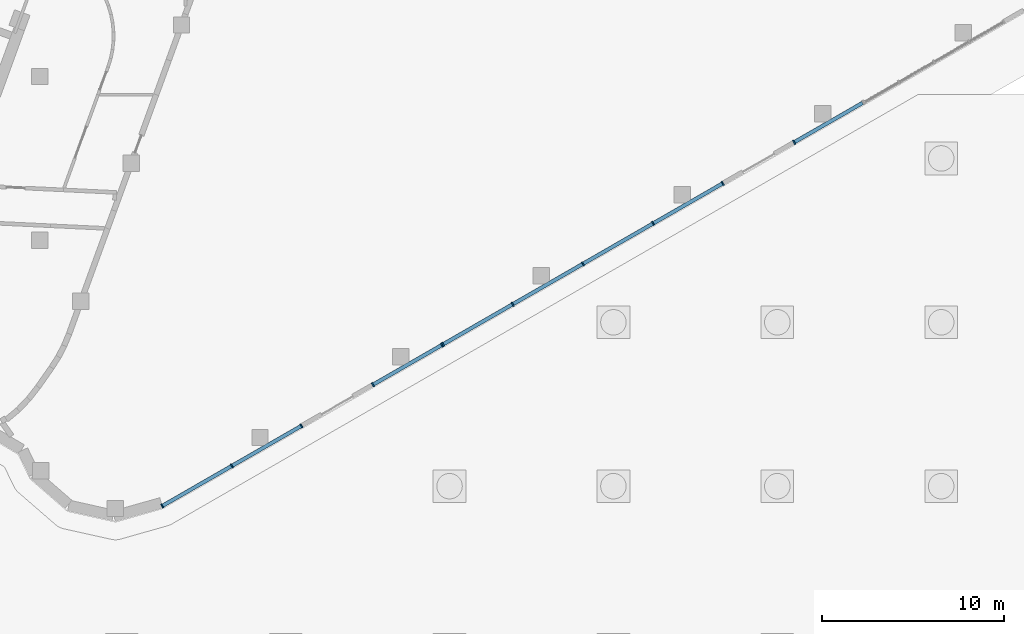
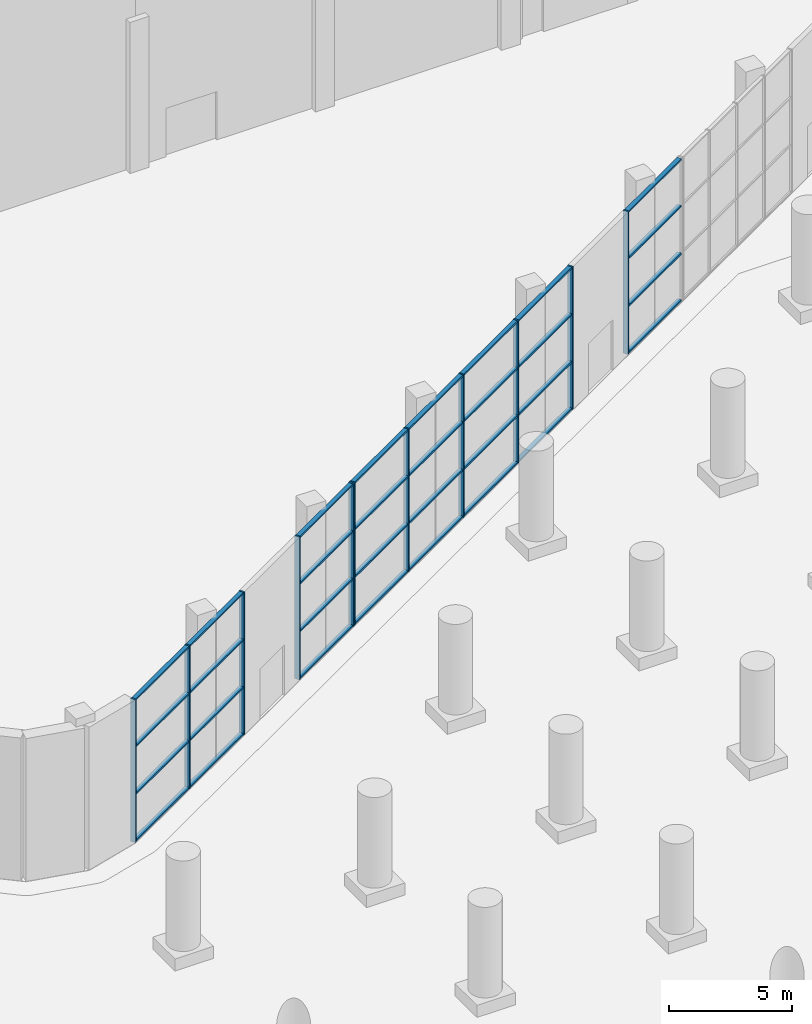
# One storey, part 3 of 30: 43 members, 4 elements without a shape of their own.
"""IFC4 building model written with IfcOpenShell, lengths in metres."""

from ifc_helpers import new_model, si_unit, direction, frame, origin, origin_2d, place, context, subcontext, project, spatial, rectangle, extrude, material, material_profile, profile_set, type_object, element, aggregate, save


model = new_model("IFC4")

# Units and contexts
model_context = context("Model", 3, precision=1e-05, world=origin(), true_north=direction((0.0, 1.0)))
body_context = subcontext(model_context, "Body", "Model", "MODEL_VIEW")
ifc_project = project(units=[si_unit("LENGTHUNIT", "METRE"), si_unit("AREAUNIT", "SQUARE_METRE"), si_unit("VOLUMEUNIT", "CUBIC_METRE"), si_unit("PLANEANGLEUNIT", "RADIAN"), si_unit("MASSUNIT", "GRAM", prefix="KILO")], contexts=[model_context])

# Site, building, storey
site_placement = place(None, origin())
site = spatial("IfcSite", under=ifc_project, at=site_placement, CompositionType="ELEMENT")
building_placement = place(site_placement, origin())
building = spatial("IfcBuilding", under=site, at=building_placement, Name="Skarvind Civic Tower", CompositionType="ELEMENT")
storey_placement = place(building_placement, origin())
storey = spatial("IfcBuildingStorey", under=building, at=storey_placement, Name="L00", CompositionType="ELEMENT", Elevation=0.0)

# Curtain wall, member
ifc_material_1 = material(Name="Aluminium alloy 6063 and laminated glass", Category="aluminium")
curtain_wall_type = type_object("IfcCurtainWallType", Name="CW1 PUBLIC HALL GLAZING", PredefinedType="NOTDEFINED", material=ifc_material_1)
curtain_wall_1_placement = place(storey_placement, origin())
curtain_wall_1 = element("IfcCurtainWall", 1, at=curtain_wall_1_placement, inside=storey, type_object=curtain_wall_type, Name="PUBLIC SERVICE HALL GLAZING", PredefinedType="NOTDEFINED")
ifc_material_2 = material(Name="Aluminium alloy 6063", Category="aluminium")
ifc_material_profile_1 = material_profile(ifc_material_2, rectangle(XDim=0.239990234375, YDim=0.080078125, at=origin_2d()), Name="AL 80x240")
ifc_profile_set_1 = profile_set([ifc_material_profile_1], Name="Aluminium alloy 6063")
member_type_1 = type_object("IfcMemberType", Name="CW1 MULLION 80x240", PredefinedType="MULLION", material=ifc_profile_set_1)
member_1_placement = place(storey_placement, frame((87.427490234375, 87.38720703125, 0.0), z_axis=(0.0, 0.0, 1.0), x_axis=(0.498821195522, -0.866704918008, 0.0)))
member_1 = element("IfcMember", 2, at=member_1_placement, type_object=member_type_1, Name="CW1 mullion 2", PredefinedType="MULLION", context=body_context, shape_type="SweptSolid", body=[
    extrude(rectangle(XDim=0.239990234375, YDim=0.080078125, at=origin_2d()), origin(), (0.0, 0.0, 1.0), 7.10009765625),
])

# Curtain wall, members
curtain_wall_2_placement = place(storey_placement, origin())
curtain_wall_2 = element("IfcCurtainWall", 3, at=curtain_wall_2_placement, inside=storey, type_object=curtain_wall_type, Name="PUBLIC SERVICE HALL GLAZING", PredefinedType="NOTDEFINED")
member_2_placement = place(storey_placement, frame((83.50244140625, 85.1279296875, 0.0), z_axis=(0.0, 0.0, 1.0), x_axis=(0.498825416846, -0.866702488463, 0.0)))
member_2 = element("IfcMember", 4, at=member_2_placement, type_object=member_type_1, Name="CW1 mullion 1", PredefinedType="MULLION", context=body_context, shape_type="SweptSolid", body=[
    extrude(rectangle(XDim=0.239990234375, YDim=0.080078125, at=origin_2d()), origin(), (0.0, 0.0, 1.0), 7.10009765625),
])
member_3_placement = place(storey_placement, frame((79.681396484375, 82.928955078125, 0.0), z_axis=(0.0, 0.0, 1.0), x_axis=(0.498825416846, -0.866702488463, 0.0)))
member_3 = element("IfcMember", 5, at=member_3_placement, type_object=member_type_1, Name="CW1 mullion 2", PredefinedType="MULLION", context=body_context, shape_type="SweptSolid", body=[
    extrude(rectangle(XDim=0.239990234375, YDim=0.080078125, at=origin_2d()), origin(), (0.0, 0.0, 1.0), 7.10009765625),
])
member_4_placement = place(storey_placement, frame((75.82568359375, 80.709716796875, 0.0), z_axis=(0.0, 0.0, 1.0), x_axis=(0.498825416846, -0.866702488463, 0.0)))
member_4 = element("IfcMember", 6, at=member_4_placement, type_object=member_type_1, Name="CW1 mullion 3", PredefinedType="MULLION", context=body_context, shape_type="SweptSolid", body=[
    extrude(rectangle(XDim=0.239990234375, YDim=0.080078125, at=origin_2d()), origin(), (0.0, 0.0, 1.0), 7.10009765625),
])
member_5_placement = place(storey_placement, frame((71.969970703125, 78.49072265625, 0.0), z_axis=(0.0, 0.0, 1.0), x_axis=(0.498825416846, -0.866702488463, 0.0)))
member_5 = element("IfcMember", 7, at=member_5_placement, type_object=member_type_1, Name="CW1 mullion 4", PredefinedType="MULLION", context=body_context, shape_type="SweptSolid", body=[
    extrude(rectangle(XDim=0.239990234375, YDim=0.080078125, at=origin_2d()), origin(), (0.0, 0.0, 1.0), 7.10009765625),
])
member_6_placement = place(storey_placement, frame((68.14892578125, 76.29150390625, 0.0), z_axis=(0.0, 0.0, 1.0), x_axis=(0.498825416846, -0.866702488463, 0.0)))
member_6 = element("IfcMember", 8, at=member_6_placement, type_object=member_type_1, Name="CW1 mullion 5", PredefinedType="MULLION", context=body_context, shape_type="SweptSolid", body=[
    extrude(rectangle(XDim=0.239990234375, YDim=0.080078125, at=origin_2d()), origin(), (0.0, 0.0, 1.0), 7.10009765625),
])

curtain_wall_3_placement = place(storey_placement, origin())
curtain_wall_3 = element("IfcCurtainWall", 9, at=curtain_wall_3_placement, inside=storey, type_object=curtain_wall_type, Name="PUBLIC SERVICE HALL GLAZING", PredefinedType="NOTDEFINED")
member_7_placement = place(storey_placement, frame((68.07958984375, 76.25146484375, 0.0), z_axis=(0.0, 0.0, 1.0), x_axis=(0.498821195522, -0.866704918008, 0.0)))
member_7 = element("IfcMember", 10, at=member_7_placement, type_object=member_type_1, Name="CW1 mullion 1", PredefinedType="MULLION", context=body_context, shape_type="SweptSolid", body=[
    extrude(rectangle(XDim=0.239990234375, YDim=0.080078125, at=origin_2d()), origin(), (0.0, 0.0, 1.0), 7.10009765625),
])
member_8_placement = place(storey_placement, frame((64.293212890625, 74.072265625, 0.0), z_axis=(0.0, 0.0, 1.0), x_axis=(0.498821195522, -0.866704918008, 0.0)))
member_8 = element("IfcMember", 11, at=member_8_placement, type_object=member_type_1, Name="CW1 mullion 2", PredefinedType="MULLION", context=body_context, shape_type="SweptSolid", body=[
    extrude(rectangle(XDim=0.239990234375, YDim=0.080078125, at=origin_2d()), origin(), (0.0, 0.0, 1.0), 7.10009765625),
])

curtain_wall_4_placement = place(storey_placement, origin())
curtain_wall_4 = element("IfcCurtainWall", 12, at=curtain_wall_4_placement, inside=storey, type_object=curtain_wall_type, Name="PUBLIC SERVICE HALL GLAZING", PredefinedType="NOTDEFINED")
member_9_placement = place(storey_placement, frame((60.3681640625, 71.813232421875, 0.0), z_axis=(0.0, 0.0, 1.0), x_axis=(0.498829638128, -0.866700058916, 0.0)))
member_9 = element("IfcMember", 13, at=member_9_placement, type_object=member_type_1, Name="CW1 mullion 1", PredefinedType="MULLION", context=body_context, shape_type="SweptSolid", body=[
    extrude(rectangle(XDim=0.239990234375, YDim=0.080078125, at=origin_2d()), origin(), (0.0, 0.0, 1.0), 7.10009765625),
])
member_10_placement = place(storey_placement, frame((56.547119140625, 69.6142578125, 0.0), z_axis=(0.0, 0.0, 1.0), x_axis=(0.498829638128, -0.866700058916, 0.0)))
member_10 = element("IfcMember", 14, at=member_10_placement, type_object=member_type_1, Name="CW1 mullion 2", PredefinedType="MULLION", context=body_context, shape_type="SweptSolid", body=[
    extrude(rectangle(XDim=0.239990234375, YDim=0.080078125, at=origin_2d()), origin(), (0.0, 0.0, 1.0), 7.10009765625),
])
member_11_placement = place(storey_placement, frame((52.72607421875, 67.4150390625, 0.0), z_axis=(0.0, 0.0, 1.0), x_axis=(0.498829638128, -0.866700058916, 0.0)))
member_11 = element("IfcMember", 15, at=member_11_placement, type_object=member_type_1, Name="CW1 mullion 3", PredefinedType="MULLION", context=body_context, shape_type="SweptSolid", body=[
    extrude(rectangle(XDim=0.239990234375, YDim=0.080078125, at=origin_2d()), origin(), (0.0, 0.0, 1.0), 7.10009765625),
])

# Member
ifc_material_profile_2 = material_profile(ifc_material_2, rectangle(XDim=0.199951171875, YDim=0.080078125, at=origin_2d()), Name="AL 80x200")
ifc_profile_set_2 = profile_set([ifc_material_profile_2], Name="Aluminium alloy 6063")
member_type_2 = type_object("IfcMemberType", Name="CW1 TRANSOM 80x200", PredefinedType="USERDEFINED", material=ifc_profile_set_2)
member_12_placement = place(storey_placement, frame((91.178955078125, 89.54638671875, 0.0400390625), z_axis=(-0.866704503086, -0.49882191645, 0.0), x_axis=(0.49882191645, -0.866704503086, 0.0)))
member_12 = element("IfcMember", 16, at=member_12_placement, type_object=member_type_2, Name="CW1 transom 1.1", ObjectType="TRANSOM", PredefinedType="USERDEFINED", context=body_context, shape_type="SweptSolid", body=[
    extrude(rectangle(XDim=0.199951171875, YDim=0.080078125, at=origin_2d()), origin(), (0.0, 0.0, 1.0), 4.288330078125),
])

member_13_placement = place(storey_placement, frame((91.178955078125, 89.54638671875, 2.36669921875), z_axis=(-0.866704503086, -0.49882191645, 0.0), x_axis=(0.49882191645, -0.866704503086, 0.0)))
member_13 = element("IfcMember", 17, at=member_13_placement, type_object=member_type_2, Name="CW1 transom 1.2", ObjectType="TRANSOM", PredefinedType="USERDEFINED", context=body_context, shape_type="SweptSolid", body=[
    extrude(rectangle(XDim=0.199951171875, YDim=0.080078125, at=origin_2d()), origin(), (0.0, 0.0, 1.0), 4.288330078125),
])

member_14_placement = place(storey_placement, frame((91.178955078125, 89.54638671875, 4.7333984375), z_axis=(-0.866704503086, -0.49882191645, 0.0), x_axis=(0.49882191645, -0.866704503086, 0.0)))
member_14 = element("IfcMember", 18, at=member_14_placement, type_object=member_type_2, Name="CW1 transom 1.3", ObjectType="TRANSOM", PredefinedType="USERDEFINED", context=body_context, shape_type="SweptSolid", body=[
    extrude(rectangle(XDim=0.199951171875, YDim=0.080078125, at=origin_2d()), origin(), (0.0, 0.0, 1.0), 4.288330078125),
])

member_15_placement = place(storey_placement, frame((91.178955078125, 89.54638671875, 7.06005859375), z_axis=(-0.866704503086, -0.49882191645, 0.0), x_axis=(0.49882191645, -0.866704503086, 0.0)))
member_15 = element("IfcMember", 19, at=member_15_placement, type_object=member_type_2, Name="CW1 transom 1.4", ObjectType="TRANSOM", PredefinedType="USERDEFINED", context=body_context, shape_type="SweptSolid", body=[
    extrude(rectangle(XDim=0.199951171875, YDim=0.080078125, at=origin_2d()), origin(), (0.0, 0.0, 1.0), 4.288330078125),
])

aggregate(curtain_wall_1, [member_1, member_12, member_13, member_14, member_15])

member_16_placement = place(storey_placement, frame((83.4677734375, 85.108154296875, 0.0400390625), z_axis=(-0.866687483698, -0.498851486517, 0.0), x_axis=(0.498851486517, -0.866687483698, 0.0)))
member_16 = element("IfcMember", 20, at=member_16_placement, type_object=member_type_2, Name="CW1 transom 1.1", ObjectType="TRANSOM", PredefinedType="USERDEFINED", context=body_context, shape_type="SweptSolid", body=[
    extrude(rectangle(XDim=0.199951171875, YDim=0.080078125, at=origin_2d()), origin(), (0.0, 0.0, 1.0), 4.328857421875),
])

member_17_placement = place(storey_placement, frame((83.4677734375, 85.108154296875, 2.36669921875), z_axis=(-0.866687483698, -0.498851486517, 0.0), x_axis=(0.498851486517, -0.866687483698, 0.0)))
member_17 = element("IfcMember", 21, at=member_17_placement, type_object=member_type_2, Name="CW1 transom 1.2", ObjectType="TRANSOM", PredefinedType="USERDEFINED", context=body_context, shape_type="SweptSolid", body=[
    extrude(rectangle(XDim=0.199951171875, YDim=0.080078125, at=origin_2d()), origin(), (0.0, 0.0, 1.0), 4.328857421875),
])

member_18_placement = place(storey_placement, frame((83.4677734375, 85.108154296875, 4.7333984375), z_axis=(-0.866687483698, -0.498851486517, 0.0), x_axis=(0.498851486517, -0.866687483698, 0.0)))
member_18 = element("IfcMember", 22, at=member_18_placement, type_object=member_type_2, Name="CW1 transom 1.3", ObjectType="TRANSOM", PredefinedType="USERDEFINED", context=body_context, shape_type="SweptSolid", body=[
    extrude(rectangle(XDim=0.199951171875, YDim=0.080078125, at=origin_2d()), origin(), (0.0, 0.0, 1.0), 4.328857421875),
])

member_19_placement = place(storey_placement, frame((83.4677734375, 85.108154296875, 7.06005859375), z_axis=(-0.866687483698, -0.498851486517, 0.0), x_axis=(0.498851486517, -0.866687483698, 0.0)))
member_19 = element("IfcMember", 23, at=member_19_placement, type_object=member_type_2, Name="CW1 transom 1.4", ObjectType="TRANSOM", PredefinedType="USERDEFINED", context=body_context, shape_type="SweptSolid", body=[
    extrude(rectangle(XDim=0.199951171875, YDim=0.080078125, at=origin_2d()), origin(), (0.0, 0.0, 1.0), 4.328857421875),
])

member_20_placement = place(storey_placement, frame((79.646728515625, 82.908935546875, 0.0400390625), z_axis=(-0.86670519184, -0.498820719735, 0.0), x_axis=(0.498820719735, -0.86670519184, 0.0)))
member_20 = element("IfcMember", 24, at=member_20_placement, type_object=member_type_2, Name="CW1 transom 2.1", ObjectType="TRANSOM", PredefinedType="USERDEFINED", context=body_context, shape_type="SweptSolid", body=[
    extrude(rectangle(XDim=0.199951171875, YDim=0.080078125, at=origin_2d()), origin(), (0.0, 0.0, 1.0), 4.36865234375),
])

member_21_placement = place(storey_placement, frame((79.646728515625, 82.908935546875, 2.36669921875), z_axis=(-0.86670519184, -0.498820719735, 0.0), x_axis=(0.498820719735, -0.86670519184, 0.0)))
member_21 = element("IfcMember", 25, at=member_21_placement, type_object=member_type_2, Name="CW1 transom 2.2", ObjectType="TRANSOM", PredefinedType="USERDEFINED", context=body_context, shape_type="SweptSolid", body=[
    extrude(rectangle(XDim=0.199951171875, YDim=0.080078125, at=origin_2d()), origin(), (0.0, 0.0, 1.0), 4.36865234375),
])

member_22_placement = place(storey_placement, frame((79.646728515625, 82.908935546875, 4.7333984375), z_axis=(-0.86670519184, -0.498820719735, 0.0), x_axis=(0.498820719735, -0.86670519184, 0.0)))
member_22 = element("IfcMember", 26, at=member_22_placement, type_object=member_type_2, Name="CW1 transom 2.3", ObjectType="TRANSOM", PredefinedType="USERDEFINED", context=body_context, shape_type="SweptSolid", body=[
    extrude(rectangle(XDim=0.199951171875, YDim=0.080078125, at=origin_2d()), origin(), (0.0, 0.0, 1.0), 4.36865234375),
])

member_23_placement = place(storey_placement, frame((79.646728515625, 82.908935546875, 7.06005859375), z_axis=(-0.86670519184, -0.498820719735, 0.0), x_axis=(0.498820719735, -0.86670519184, 0.0)))
member_23 = element("IfcMember", 27, at=member_23_placement, type_object=member_type_2, Name="CW1 transom 2.4", ObjectType="TRANSOM", PredefinedType="USERDEFINED", context=body_context, shape_type="SweptSolid", body=[
    extrude(rectangle(XDim=0.199951171875, YDim=0.080078125, at=origin_2d()), origin(), (0.0, 0.0, 1.0), 4.36865234375),
])

member_24_placement = place(storey_placement, frame((75.791015625, 80.689697265625, 0.0400390625), z_axis=(-0.86670519184, -0.498820719735, 0.0), x_axis=(0.498820719735, -0.86670519184, 0.0)))
member_24 = element("IfcMember", 28, at=member_24_placement, type_object=member_type_2, Name="CW1 transom 3.1", ObjectType="TRANSOM", PredefinedType="USERDEFINED", context=body_context, shape_type="SweptSolid", body=[
    extrude(rectangle(XDim=0.199951171875, YDim=0.080078125, at=origin_2d()), origin(), (0.0, 0.0, 1.0), 4.36865234375),
])

member_25_placement = place(storey_placement, frame((75.791015625, 80.689697265625, 2.36669921875), z_axis=(-0.86670519184, -0.498820719735, 0.0), x_axis=(0.498820719735, -0.86670519184, 0.0)))
member_25 = element("IfcMember", 29, at=member_25_placement, type_object=member_type_2, Name="CW1 transom 3.2", ObjectType="TRANSOM", PredefinedType="USERDEFINED", context=body_context, shape_type="SweptSolid", body=[
    extrude(rectangle(XDim=0.199951171875, YDim=0.080078125, at=origin_2d()), origin(), (0.0, 0.0, 1.0), 4.36865234375),
])

member_26_placement = place(storey_placement, frame((75.791015625, 80.689697265625, 4.7333984375), z_axis=(-0.86670519184, -0.498820719735, 0.0), x_axis=(0.498820719735, -0.86670519184, 0.0)))
member_26 = element("IfcMember", 30, at=member_26_placement, type_object=member_type_2, Name="CW1 transom 3.3", ObjectType="TRANSOM", PredefinedType="USERDEFINED", context=body_context, shape_type="SweptSolid", body=[
    extrude(rectangle(XDim=0.199951171875, YDim=0.080078125, at=origin_2d()), origin(), (0.0, 0.0, 1.0), 4.36865234375),
])

member_27_placement = place(storey_placement, frame((75.791015625, 80.689697265625, 7.06005859375), z_axis=(-0.86670519184, -0.498820719735, 0.0), x_axis=(0.498820719735, -0.86670519184, 0.0)))
member_27 = element("IfcMember", 31, at=member_27_placement, type_object=member_type_2, Name="CW1 transom 3.4", ObjectType="TRANSOM", PredefinedType="USERDEFINED", context=body_context, shape_type="SweptSolid", body=[
    extrude(rectangle(XDim=0.199951171875, YDim=0.080078125, at=origin_2d()), origin(), (0.0, 0.0, 1.0), 4.36865234375),
])

member_28_placement = place(storey_placement, frame((71.935302734375, 78.470703125, 0.0400390625), z_axis=(-0.866711867477, -0.498809120581, 0.0), x_axis=(0.498809120581, -0.866711867477, 0.0)))
member_28 = element("IfcMember", 32, at=member_28_placement, type_object=member_type_2, Name="CW1 transom 4.1", ObjectType="TRANSOM", PredefinedType="USERDEFINED", context=body_context, shape_type="SweptSolid", body=[
    extrude(rectangle(XDim=0.199951171875, YDim=0.080078125, at=origin_2d()), origin(), (0.0, 0.0, 1.0), 4.32861328125),
])

member_29_placement = place(storey_placement, frame((71.935302734375, 78.470703125, 2.36669921875), z_axis=(-0.866711867477, -0.498809120581, 0.0), x_axis=(0.498809120581, -0.866711867477, 0.0)))
member_29 = element("IfcMember", 33, at=member_29_placement, type_object=member_type_2, Name="CW1 transom 4.2", ObjectType="TRANSOM", PredefinedType="USERDEFINED", context=body_context, shape_type="SweptSolid", body=[
    extrude(rectangle(XDim=0.199951171875, YDim=0.080078125, at=origin_2d()), origin(), (0.0, 0.0, 1.0), 4.32861328125),
])

member_30_placement = place(storey_placement, frame((71.935302734375, 78.470703125, 4.7333984375), z_axis=(-0.866711867477, -0.498809120581, 0.0), x_axis=(0.498809120581, -0.866711867477, 0.0)))
member_30 = element("IfcMember", 34, at=member_30_placement, type_object=member_type_2, Name="CW1 transom 4.3", ObjectType="TRANSOM", PredefinedType="USERDEFINED", context=body_context, shape_type="SweptSolid", body=[
    extrude(rectangle(XDim=0.199951171875, YDim=0.080078125, at=origin_2d()), origin(), (0.0, 0.0, 1.0), 4.32861328125),
])

member_31_placement = place(storey_placement, frame((71.935302734375, 78.470703125, 7.06005859375), z_axis=(-0.866711867477, -0.498809120581, 0.0), x_axis=(0.498809120581, -0.866711867477, 0.0)))
member_31 = element("IfcMember", 35, at=member_31_placement, type_object=member_type_2, Name="CW1 transom 4.4", ObjectType="TRANSOM", PredefinedType="USERDEFINED", context=body_context, shape_type="SweptSolid", body=[
    extrude(rectangle(XDim=0.199951171875, YDim=0.080078125, at=origin_2d()), origin(), (0.0, 0.0, 1.0), 4.32861328125),
])

aggregate(curtain_wall_2, [member_2, member_3, member_4, member_5, member_6, member_16, member_17, member_18, member_19, member_20, member_21, member_22, member_23, member_24, member_25, member_26, member_27, member_28, member_29, member_30, member_31])

member_32_placement = place(storey_placement, frame((68.044921875, 76.231689453125, 0.0400390625), z_axis=(-0.866694056577, -0.498840066849, 0.0), x_axis=(0.498840066849, -0.866694056577, 0.0)))
member_32 = element("IfcMember", 36, at=member_32_placement, type_object=member_type_2, Name="CW1 transom 1.1", ObjectType="TRANSOM", PredefinedType="USERDEFINED", context=body_context, shape_type="SweptSolid", body=[
    extrude(rectangle(XDim=0.199951171875, YDim=0.080078125, at=origin_2d()), origin(), (0.0, 0.0, 1.0), 4.288818359375),
])

member_33_placement = place(storey_placement, frame((68.044921875, 76.231689453125, 2.36669921875), z_axis=(-0.866694056577, -0.498840066849, 0.0), x_axis=(0.498840066849, -0.866694056577, 0.0)))
member_33 = element("IfcMember", 37, at=member_33_placement, type_object=member_type_2, Name="CW1 transom 1.2", ObjectType="TRANSOM", PredefinedType="USERDEFINED", context=body_context, shape_type="SweptSolid", body=[
    extrude(rectangle(XDim=0.199951171875, YDim=0.080078125, at=origin_2d()), origin(), (0.0, 0.0, 1.0), 4.288818359375),
])

member_34_placement = place(storey_placement, frame((68.044921875, 76.231689453125, 4.7333984375), z_axis=(-0.866694056577, -0.498840066849, 0.0), x_axis=(0.498840066849, -0.866694056577, 0.0)))
member_34 = element("IfcMember", 38, at=member_34_placement, type_object=member_type_2, Name="CW1 transom 1.3", ObjectType="TRANSOM", PredefinedType="USERDEFINED", context=body_context, shape_type="SweptSolid", body=[
    extrude(rectangle(XDim=0.199951171875, YDim=0.080078125, at=origin_2d()), origin(), (0.0, 0.0, 1.0), 4.288818359375),
])

member_35_placement = place(storey_placement, frame((68.044921875, 76.231689453125, 7.06005859375), z_axis=(-0.866694056577, -0.498840066849, 0.0), x_axis=(0.498840066849, -0.866694056577, 0.0)))
member_35 = element("IfcMember", 39, at=member_35_placement, type_object=member_type_2, Name="CW1 transom 1.4", ObjectType="TRANSOM", PredefinedType="USERDEFINED", context=body_context, shape_type="SweptSolid", body=[
    extrude(rectangle(XDim=0.199951171875, YDim=0.080078125, at=origin_2d()), origin(), (0.0, 0.0, 1.0), 4.288818359375),
])

aggregate(curtain_wall_3, [member_7, member_8, member_32, member_33, member_34, member_35])

member_36_placement = place(storey_placement, frame((60.33349609375, 71.79345703125, 0.0400390625), z_axis=(-0.866687483698, -0.498851486517, 0.0), x_axis=(0.498851486517, -0.866687483698, 0.0)))
member_36 = element("IfcMember", 40, at=member_36_placement, type_object=member_type_2, Name="CW1 transom 1.1", ObjectType="TRANSOM", PredefinedType="USERDEFINED", context=body_context, shape_type="SweptSolid", body=[
    extrude(rectangle(XDim=0.199951171875, YDim=0.080078125, at=origin_2d()), origin(), (0.0, 0.0, 1.0), 4.328857421875),
])

member_37_placement = place(storey_placement, frame((60.33349609375, 71.79345703125, 2.36669921875), z_axis=(-0.866687483698, -0.498851486517, 0.0), x_axis=(0.498851486517, -0.866687483698, 0.0)))
member_37 = element("IfcMember", 41, at=member_37_placement, type_object=member_type_2, Name="CW1 transom 1.2", ObjectType="TRANSOM", PredefinedType="USERDEFINED", context=body_context, shape_type="SweptSolid", body=[
    extrude(rectangle(XDim=0.199951171875, YDim=0.080078125, at=origin_2d()), origin(), (0.0, 0.0, 1.0), 4.328857421875),
])

member_38_placement = place(storey_placement, frame((60.33349609375, 71.79345703125, 4.7333984375), z_axis=(-0.866687483698, -0.498851486517, 0.0), x_axis=(0.498851486517, -0.866687483698, 0.0)))
member_38 = element("IfcMember", 42, at=member_38_placement, type_object=member_type_2, Name="CW1 transom 1.3", ObjectType="TRANSOM", PredefinedType="USERDEFINED", context=body_context, shape_type="SweptSolid", body=[
    extrude(rectangle(XDim=0.199951171875, YDim=0.080078125, at=origin_2d()), origin(), (0.0, 0.0, 1.0), 4.328857421875),
])

member_39_placement = place(storey_placement, frame((60.33349609375, 71.79345703125, 7.06005859375), z_axis=(-0.866687483698, -0.498851486517, 0.0), x_axis=(0.498851486517, -0.866687483698, 0.0)))
member_39 = element("IfcMember", 43, at=member_39_placement, type_object=member_type_2, Name="CW1 transom 1.4", ObjectType="TRANSOM", PredefinedType="USERDEFINED", context=body_context, shape_type="SweptSolid", body=[
    extrude(rectangle(XDim=0.199951171875, YDim=0.080078125, at=origin_2d()), origin(), (0.0, 0.0, 1.0), 4.328857421875),
])

member_40_placement = place(storey_placement, frame((56.512451171875, 69.59423828125, 0.0400390625), z_axis=(-0.866687483698, -0.498851486517, 0.0), x_axis=(0.498851486517, -0.866687483698, 0.0)))
member_40 = element("IfcMember", 44, at=member_40_placement, type_object=member_type_2, Name="CW1 transom 2.1", ObjectType="TRANSOM", PredefinedType="USERDEFINED", context=body_context, shape_type="SweptSolid", body=[
    extrude(rectangle(XDim=0.199951171875, YDim=0.080078125, at=origin_2d()), origin(), (0.0, 0.0, 1.0), 4.328857421875),
])

member_41_placement = place(storey_placement, frame((56.512451171875, 69.59423828125, 2.36669921875), z_axis=(-0.866687483698, -0.498851486517, 0.0), x_axis=(0.498851486517, -0.866687483698, 0.0)))
member_41 = element("IfcMember", 45, at=member_41_placement, type_object=member_type_2, Name="CW1 transom 2.2", ObjectType="TRANSOM", PredefinedType="USERDEFINED", context=body_context, shape_type="SweptSolid", body=[
    extrude(rectangle(XDim=0.199951171875, YDim=0.080078125, at=origin_2d()), origin(), (0.0, 0.0, 1.0), 4.328857421875),
])

member_42_placement = place(storey_placement, frame((56.512451171875, 69.59423828125, 4.7333984375), z_axis=(-0.866687483698, -0.498851486517, 0.0), x_axis=(0.498851486517, -0.866687483698, 0.0)))
member_42 = element("IfcMember", 46, at=member_42_placement, type_object=member_type_2, Name="CW1 transom 2.3", ObjectType="TRANSOM", PredefinedType="USERDEFINED", context=body_context, shape_type="SweptSolid", body=[
    extrude(rectangle(XDim=0.199951171875, YDim=0.080078125, at=origin_2d()), origin(), (0.0, 0.0, 1.0), 4.328857421875),
])

member_43_placement = place(storey_placement, frame((56.512451171875, 69.59423828125, 7.06005859375), z_axis=(-0.866687483698, -0.498851486517, 0.0), x_axis=(0.498851486517, -0.866687483698, 0.0)))
member_43 = element("IfcMember", 47, at=member_43_placement, type_object=member_type_2, Name="CW1 transom 2.4", ObjectType="TRANSOM", PredefinedType="USERDEFINED", context=body_context, shape_type="SweptSolid", body=[
    extrude(rectangle(XDim=0.199951171875, YDim=0.080078125, at=origin_2d()), origin(), (0.0, 0.0, 1.0), 4.328857421875),
])

aggregate(curtain_wall_4, [member_9, member_10, member_11, member_36, member_37, member_38, member_39, member_40, member_41, member_42, member_43])

save(model, "model.ifc")
